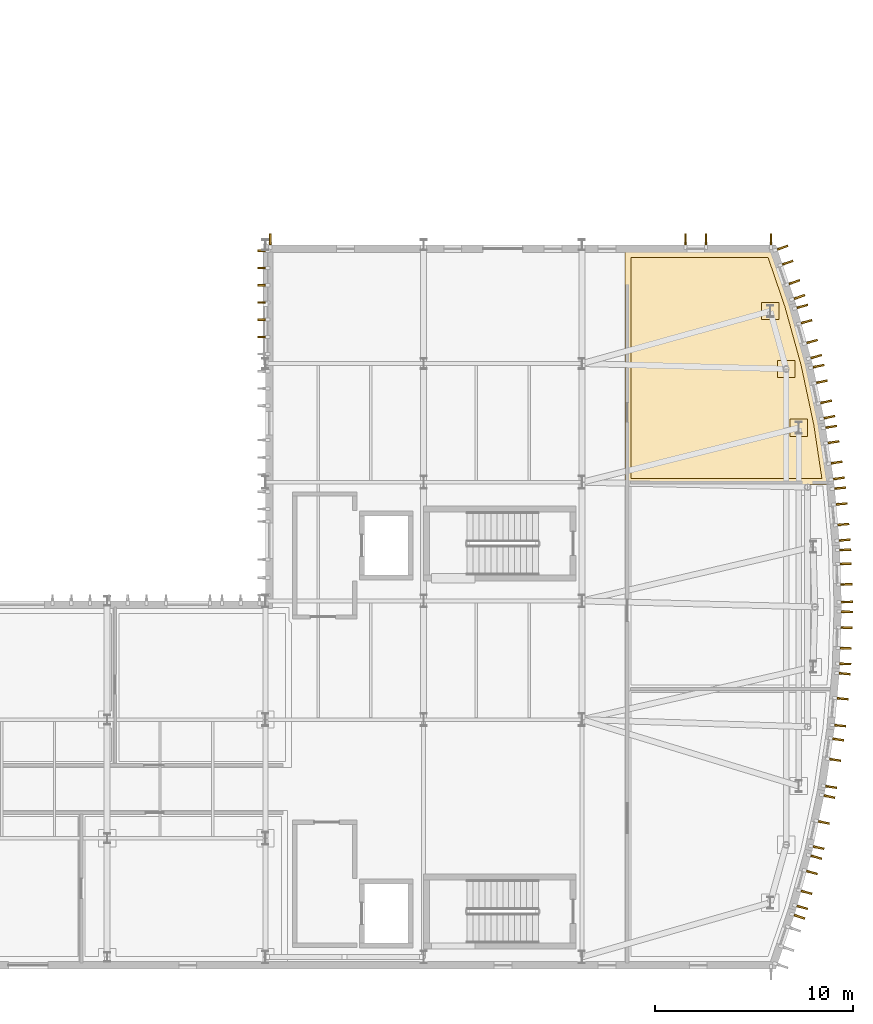
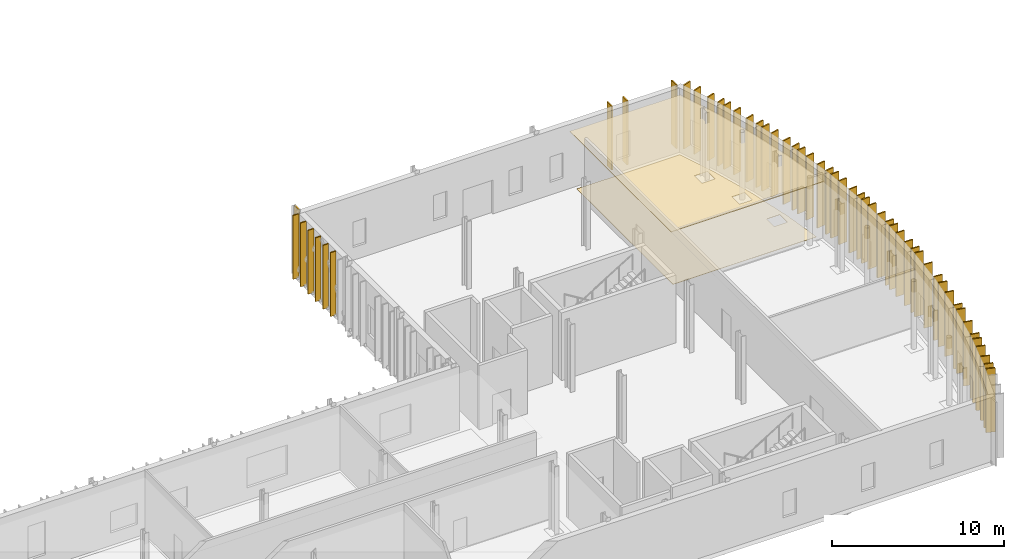
# One storey, part 60 of 60: 54 coverings.
"""IFC4 building model written with IfcOpenShell, lengths in metres."""

import ifcopenshell
import ifcopenshell.guid

model = None  # the IFC model being written
_history = None  # IfcOwnerHistory: only IFC2X3 demands one
_inside = {}  # id of a spatial element -> (the spatial element, [elements in it])
_under = {}  # id of a project, library or spatial element -> (it, [spatial elements below it])
_declared = {}  # id of a project -> (the project, [libraries it declares])
_typed = {}  # id of a type object -> (the type object, [elements of that type])
_made_of = {}  # id of a material, layer set ... -> (it, [elements and type objects made of it])


def new_model(schema):
    """Start an empty IFC model of exactly this schema.

    Asked for "IFC4X3", IfcOpenShell would pick the latest addendum, in which some entities
    have other attributes; the version numbers below select the first issue.
    IFC2X3 requires an IfcOwnerHistory on every rooted entity: one is made here for all.
    """
    global model, _history
    if schema == "IFC4X3":
        model = ifcopenshell.file(schema_version=(4, 3, 0, 0))
    else:
        model = ifcopenshell.file(schema=schema)
    _inside.clear()
    _under.clear()
    _declared.clear()
    _typed.clear()
    _made_of.clear()
    _history = None
    if model.schema == "IFC2X3":
        org = make("IfcOrganization", Name="unknown")
        user = make(
            "IfcPersonAndOrganization",
            ThePerson=make("IfcPerson", FamilyName="unknown"),
            TheOrganization=org,
        )
        app = make(
            "IfcApplication",
            ApplicationDeveloper=org,
            Version="unknown",
            ApplicationFullName="unknown",
            ApplicationIdentifier="unknown",
        )
        _history = make(
            "IfcOwnerHistory",
            OwningUser=user,
            OwningApplication=app,
            ChangeAction="ADDED",
            CreationDate=0,
        )
    return model


def make(cls, **values):
    """One entity of the class cls with the attributes given. An attribute that is None is left unset."""
    return model.create_entity(
        cls, **{name: value for name, value in values.items() if value is not None}
    )


def rooted(cls, **values):
    """An entity with a GlobalId (a new one), such as an element, a storey or a relation."""
    return make(cls, GlobalId=ifcopenshell.guid.new(), OwnerHistory=_history, **values)


def si_unit(unit_type, name, prefix=None):
    """IfcSIUnit, for example si_unit("LENGTHUNIT", "METRE", prefix="MILLI")."""
    return make("IfcSIUnit", UnitType=unit_type, Prefix=prefix, Name=name)


def assignment(units):
    """IfcUnitAssignment: the units of a project."""
    return None if units is None else make("IfcUnitAssignment", Units=units)


def point(xyz):
    """IfcCartesianPoint."""
    return None if xyz is None else make("IfcCartesianPoint", Coordinates=xyz)


def direction(xyz):
    """IfcDirection."""
    return None if xyz is None else make("IfcDirection", DirectionRatios=xyz)


def frame(location, z_axis=None, x_axis=None):
    """IfcAxis2Placement3D, a coordinate frame: its origin and axes. An axis left out is left unset."""
    return make(
        "IfcAxis2Placement3D",
        Location=point(location),
        Axis=direction(z_axis),
        RefDirection=direction(x_axis),
    )


def frame_2d(location, x_axis=None):
    """IfcAxis2Placement2D, a coordinate frame in the plane: its origin and x axis."""
    return make(
        "IfcAxis2Placement2D", Location=point(location), RefDirection=direction(x_axis)
    )


def origin():
    """The frame at (0, 0, 0) with its axes left unset."""
    return frame((0.0, 0.0, 0.0))


def origin_2d():
    """The frame at (0, 0) in the plane with its x axis left unset."""
    return frame_2d((0.0, 0.0))


def place(relative_to, where):
    """IfcLocalPlacement: puts the frame where relative to a parent placement (None: the world)."""
    return make(
        "IfcLocalPlacement", PlacementRelTo=relative_to, RelativePlacement=where
    )


def context(
    kind, dimensions, precision=None, world=None, true_north=None, identifier=None
):
    """IfcGeometricRepresentationContext, for example the 3D "Model" context."""
    return make(
        "IfcGeometricRepresentationContext",
        ContextIdentifier=identifier,
        ContextType=kind,
        CoordinateSpaceDimension=dimensions,
        Precision=precision,
        WorldCoordinateSystem=world,
        TrueNorth=true_north,
    )


def subcontext(parent, identifier, kind, view, scale=None):
    """IfcGeometricRepresentationSubContext, for example "Body" below "Model"."""
    return make(
        "IfcGeometricRepresentationSubContext",
        ContextIdentifier=identifier,
        ContextType=kind,
        ParentContext=parent,
        TargetScale=scale,
        TargetView=view,
    )


def project(units=None, contexts=None):
    """IfcProject with its units and contexts."""
    return rooted(
        "IfcProject",
        Name="project",
        RepresentationContexts=contexts,
        UnitsInContext=assignment(units),
    )


def spatial(cls, under=None, at=None, **own):
    """A site, building, storey or space (cls), placed at a placement, below another one or the project."""
    s = rooted(cls, ObjectPlacement=at, **own)
    if under is not None:
        _under.setdefault(under.id(), (under, []))[1].append(s)
    return s


def polyline(points):
    """IfcPolyline through the points."""
    return make("IfcPolyline", Points=[point(p) for p in points])


def profile(cls, at=None, kind="AREA", **sizes):
    """A parametric profile (cls). Its sizes go by their IFC names, for example OverallWidth=200.0."""
    return make(cls, ProfileType=kind, Position=at, **sizes)


def rectangle(**sizes):
    """IfcRectangleProfileDef."""
    return profile("IfcRectangleProfileDef", **sizes)


def outline(outer, holes=None, kind="AREA"):
    """IfcArbitraryClosedProfileDef: a profile drawn as a closed curve; with holes, ...WithVoids."""
    if holes is None:
        return make("IfcArbitraryClosedProfileDef", ProfileType=kind, OuterCurve=outer)
    return make(
        "IfcArbitraryProfileDefWithVoids",
        ProfileType=kind,
        OuterCurve=outer,
        InnerCurves=holes,
    )


def extrude(swept, where, along, depth):
    """IfcExtrudedAreaSolid: the profile swept, set in the frame where, extruded along a direction by depth."""
    return make(
        "IfcExtrudedAreaSolid",
        SweptArea=swept,
        Position=where,
        ExtrudedDirection=direction(along),
        Depth=depth,
    )


def shape(context_of_items, identifier, shape_type, items):
    """IfcShapeRepresentation: the items that make up one representation, for example the "Body"."""
    return make(
        "IfcShapeRepresentation",
        ContextOfItems=context_of_items,
        RepresentationIdentifier=identifier,
        RepresentationType=shape_type,
        Items=items,
    )


def material(Name=None, Category=None):
    """IfcMaterial."""
    return make("IfcMaterial", Name=Name, Category=Category)


def layer(
    of_material, thickness, ventilated=None, Name=None, Category=None, Priority=None
):
    """IfcMaterialLayer: one layer of a wall or slab, of a material (None: an air gap)."""
    return make(
        "IfcMaterialLayer",
        Material=of_material,
        LayerThickness=thickness,
        IsVentilated=ventilated,
        Name=Name,
        Category=Category,
        Priority=Priority,
    )


def layer_set(layers, Name=None):
    """IfcMaterialLayerSet."""
    return make("IfcMaterialLayerSet", MaterialLayers=layers, LayerSetName=Name)


def made_of(thing, what):
    """Note that an element or type object is made of a material, layer set ...; save() writes the relation."""
    if what is not None:
        _made_of.setdefault(what.id(), (what, []))[1].append(thing)
    return thing


def type_object(cls, material=None, **own):
    """A type object (cls), such as IfcWallType, which elements share."""
    return made_of(rooted(cls, **own), material)


def element(
    cls,
    number,
    at=None,
    inside=None,
    cuts=None,
    type_object=None,
    material=None,
    context=None,
    identifier="Body",
    shape_type=None,
    held_by="IfcProductDefinitionShape",
    body=None,
    shapes=None,
    **own,
):
    """One element of the class cls, such as IfcWall. Its Tag is "e" and its number.

    at: its placement. inside: the storey or other place that contains it. cuts: it is an
    opening in that element (IfcRelVoidsElement). A single representation is given by context,
    identifier, shape_type and body (its items); several are given by shapes. held_by: the class
    of the entity that holds the representations. save() writes the other relations.
    """
    e = rooted(cls, Tag="e%d" % number, ObjectPlacement=at, **own)
    if body is not None:
        shapes = [shape(context, identifier, shape_type, body)]
    if shapes is not None:
        e.Representation = make(held_by, Representations=shapes)
    if inside is not None:
        _inside.setdefault(inside.id(), (inside, []))[1].append(e)
    if cuts is not None:
        rooted(
            "IfcRelVoidsElement", RelatingBuildingElement=cuts, RelatedOpeningElement=e
        )
    if type_object is not None:
        _typed.setdefault(type_object.id(), (type_object, []))[1].append(e)
    return made_of(e, material)


def aggregate(whole, parts):
    """IfcRelAggregates: a whole, such as a stair, and the parts it consists of."""
    return rooted("IfcRelAggregates", RelatingObject=whole, RelatedObjects=parts)


def save(model, path):
    """Write the relations noted so far, then the file.

    IfcRelAggregates (storeys below a building ...), IfcRelContainedInSpatialStructure (elements
    in a storey), IfcRelDefinesByType, IfcRelAssociatesMaterial and IfcRelDeclares: one each for
    every whole, place, type object, material and project.
    """
    for whole, parts in _under.values():
        aggregate(whole, parts)
    for where, things in _inside.values():
        rooted(
            "IfcRelContainedInSpatialStructure",
            RelatedElements=things,
            RelatingStructure=where,
        )
    for kind, things in _typed.values():
        rooted("IfcRelDefinesByType", RelatedObjects=things, RelatingType=kind)
    for what, things in _made_of.values():
        rooted("IfcRelAssociatesMaterial", RelatedObjects=things, RelatingMaterial=what)
    for by, libraries in _declared.values():
        rooted("IfcRelDeclares", RelatingContext=by, RelatedDefinitions=libraries)
    model.write(path)


model = new_model("IFC4")

# Units and contexts
model_context = context("Model", 3, precision=1e-05, world=origin(), true_north=direction((0.0, 1.0)))
body_context = subcontext(model_context, "Body", "Model", "MODEL_VIEW")
ifc_project = project(units=[si_unit("LENGTHUNIT", "METRE"), si_unit("AREAUNIT", "SQUARE_METRE"), si_unit("VOLUMEUNIT", "CUBIC_METRE"), si_unit("PLANEANGLEUNIT", "RADIAN"), si_unit("MASSUNIT", "GRAM", prefix="KILO")], contexts=[model_context])

# Site, building, storey
site_placement = place(None, origin())
site = spatial("IfcSite", under=ifc_project, at=site_placement, CompositionType="ELEMENT")
building_placement = place(site_placement, origin())
building = spatial("IfcBuilding", under=site, at=building_placement, Name="Cymarion Research Institute", CompositionType="ELEMENT")
storey_placement = place(building_placement, origin())
storey = spatial("IfcBuildingStorey", under=building, at=storey_placement, Name="L00", CompositionType="ELEMENT", Elevation=0.0)

# Coverings
ifc_material_1 = material(Name="Micro-perforated mineral acoustic ceiling tile", Category="gypsum")
ifc_layer_1 = layer(ifc_material_1, 0.030029296875)
ifc_layer_set_1 = layer_set([ifc_layer_1], Name="Micro-perforated mineral acoustic ceiling tile")
covering_type_1 = type_object("IfcCoveringType", Name="ACOUSTIC MICRO-PERFORATED SUSPENDED CEILING CLG-01", PredefinedType="CEILING", material=ifc_layer_set_1)
covering_1_placement = place(storey_placement, frame((0.0, 0.0, 4.0)))
element("IfcCovering", 1, at=covering_1_placement, inside=storey, type_object=covering_type_1, Name="L00 L00 Prow Collaborative Reading Lounge acoustic ceiling", PredefinedType="CEILING", context=body_context, shape_type="SweptSolid", body=[
    extrude(outline(polyline([(164.22412109375, 41.1650390625), (165.14599609375, 38.47021484375), (165.971923828125, 35.482666015625), (166.617431640625, 32.45068359375), (167.080322265625, 29.385009765625), (156.784912109375, 29.385009765625), (156.784912109375, 41.1650390625), (164.22412109375, 41.1650390625)])), origin(), (0.0, 0.0, 1.0), 0.030029296875),
])
ifc_material_2 = material(Name="Precast concrete C45/55 architectural white", Category="concrete")
ifc_layer_2 = layer(ifc_material_2, 0.090087890625)
ifc_layer_set_2 = layer_set([ifc_layer_2], Name="Precast concrete C45/55 architectural white")
covering_type_2 = type_object("IfcCoveringType", Name="ARCHITECTURAL WHITE PRECAST CONCRETE VERTICAL FIN FIN1 560MM", PredefinedType="CLADDING", material=ifc_layer_set_2)
for number, where, z_axis, x_axis, name in (
    (2, (165.597900390625, 7.530029296875, 0.009765625), (0.0, 0.0, 1.0), (0.946141878672, -0.32375229022, 0.0), "L00 V1 white precast vertical fin FIN1 #8"),
    (3, (165.74462890625, 8.004638671875, 0.009765625), (0.0, 0.0, 1.0), (0.963863295733, -0.266397348219, 0.0), "L00 V1 white precast vertical fin FIN1 #9"),
    (4, (165.95556640625, 8.76806640625, 0.009765625), (0.0, 0.0, 1.0), (0.963863295733, -0.266397348219, 0.0), "L00 V1 white precast vertical fin FIN1 #10"),
    (5, (166.232666015625, 9.7705078125, 0.009765625), (0.0, 0.0, 1.0), (0.963863295733, -0.266397348219, 0.0), "L00 V1 white precast vertical fin FIN1 #11"),
    (6, (166.447021484375, 10.545654296875, 0.009765625), (0.0, 0.0, 1.0), (0.963863295733, -0.266397348219, 0.0), "L00 V1 white precast vertical fin FIN1 #12"),
    (7, (166.56494140625, 11.028076171875, 0.009765625), (0.0, 0.0, 1.0), (0.978074966272, -0.208253116068, 0.0), "L00 V1 white precast vertical fin FIN1 #13"),
    (8, (166.8359375, 12.300537109375, 0.009765625), (0.0, 0.0, 1.0), (0.978074966272, -0.208253116068, 0.0), "L00 V1 white precast vertical fin FIN1 #14"),
    (9, (167.114013671875, 13.606689453125, 0.009765625), (0.0, 0.0, 1.0), (0.978074966272, -0.208253116068, 0.0), "L00 V1 white precast vertical fin FIN1 #15"),
    (10, (167.202880859375, 14.09521484375, 0.009765625), (0.0, 0.0, 1.0), (0.988782464828, -0.149362770624, 0.0), "L00 V1 white precast vertical fin FIN1 #16"),
    (11, (167.409423828125, 15.4638671875, 0.009765625), (0.0, 0.0, 1.0), (0.988782464828, -0.149362770624, 0.0), "L00 V1 white precast vertical fin FIN1 #17"),
    (12, (167.564697265625, 16.4921875, 0.009765625), (0.0, 0.0, 1.0), (0.988782464828, -0.149362770624, 0.0), "L00 V1 white precast vertical fin FIN1 #18"),
    (13, (167.65576171875, 17.195068359375, 0.009765625), (0.0, 0.0, 1.0), (0.995963111248, -0.089763472712, 0.0), "L00 V1 white precast vertical fin FIN1 #19"),
    (14, (167.7783203125, 18.556640625, 0.009765625), (0.0, 0.0, 1.0), (0.995963111248, -0.089763472712, 0.0), "L00 V1 white precast vertical fin FIN1 #20"),
    (15, (167.892333984375, 19.82080078125, 0.009765625), (0.0, 0.0, 1.0), (0.995963111248, -0.089763472712, 0.0), "L00 V1 white precast vertical fin FIN1 #21"),
    (16, (167.922119140625, 20.31640625, 0.009765625), (0.0, 0.0, 1.0), (0.99954944375, -0.030015154483, 0.0), "L00 V1 white precast vertical fin FIN1 #22"),
    (17, (167.94580078125, 21.108154296875, 0.009765625), (0.0, 0.0, 1.0), (0.99954944375, -0.030015154483, 0.0), "L00 V1 white precast vertical fin FIN1 #23"),
    (18, (167.97705078125, 22.147705078125, 0.009765625), (0.0, 0.0, 1.0), (0.99954944375, -0.030015154483, 0.0), "L00 V1 white precast vertical fin FIN1 #24"),
    (19, (168.001220703125, 22.95166015625, 0.009765625), (0.0, 0.0, 1.0), (0.99954944375, -0.030015154483, 0.0), "L00 V1 white precast vertical fin FIN1 #25"),
    (20, (168.001220703125, 23.4482421875, 0.009765625), (0.0, 0.0, 1.0), (0.99954944375, 0.030015154483, 0.0), "L00 V1 white precast vertical fin FIN1 #26"),
    (21, (167.974365234375, 24.33984375, 0.009765625), (0.0, 0.0, 1.0), (0.99954944375, 0.030015154483, 0.0), "L00 V1 white precast vertical fin FIN1 #27"),
    (22, (167.943359375, 25.37939453125, 0.009765625), (0.0, 0.0, 1.0), (0.99954944375, 0.030015154483, 0.0), "L00 V1 white precast vertical fin FIN1 #28"),
    (23, (167.922119140625, 26.08349609375, 0.009765625), (0.0, 0.0, 1.0), (0.99954944375, 0.030015154483, 0.0), "L00 V1 white precast vertical fin FIN1 #29"),
    (24, (167.892333984375, 26.579345703125, 0.009765625), (0.0, 0.0, 1.0), (0.995963111248, 0.089763472712, 0.0), "L00 V1 white precast vertical fin FIN1 #30"),
    (25, (167.8212890625, 27.3681640625, 0.009765625), (0.0, 0.0, 1.0), (0.995963111248, 0.089763472712, 0.0), "L00 V1 white precast vertical fin FIN1 #31"),
    (26, (167.727783203125, 28.40380859375, 0.009765625), (0.0, 0.0, 1.0), (0.995963111248, 0.089763472712, 0.0), "L00 V1 white precast vertical fin FIN1 #32"),
    (27, (167.65576171875, 29.204833984375, 0.009765625), (0.0, 0.0, 1.0), (0.995963111248, 0.089763472712, 0.0), "L00 V1 white precast vertical fin FIN1 #33"),
    (28, (167.59619140625, 29.697998046875, 0.009765625), (0.0, 0.0, 1.0), (0.988782464828, 0.149362770624, 0.0), "L00 V1 white precast vertical fin FIN1 #34"),
    (29, (167.475341796875, 30.498779296875, 0.009765625), (0.0, 0.0, 1.0), (0.988782464828, 0.149362770624, 0.0), "L00 V1 white precast vertical fin FIN1 #35"),
    (30, (167.320068359375, 31.52734375, 0.009765625), (0.0, 0.0, 1.0), (0.988782464828, 0.149362770624, 0.0), "L00 V1 white precast vertical fin FIN1 #36"),
    (31, (167.202880859375, 32.3046875, 0.009765625), (0.0, 0.0, 1.0), (0.988782464828, 0.149362770624, 0.0), "L00 V1 white precast vertical fin FIN1 #37"),
    (32, (167.114013671875, 32.79345703125, 0.009765625), (0.0, 0.0, 1.0), (0.978074966272, 0.208253116068, 0.0), "L00 V1 white precast vertical fin FIN1 #38"),
    (33, (166.948974609375, 33.568115234375, 0.009765625), (0.0, 0.0, 1.0), (0.978074966272, 0.208253116068, 0.0), "L00 V1 white precast vertical fin FIN1 #39"),
    (34, (166.732421875, 34.585205078125, 0.009765625), (0.0, 0.0, 1.0), (0.978074966272, 0.208253116068, 0.0), "L00 V1 white precast vertical fin FIN1 #40"),
    (35, (166.56494140625, 35.371826171875, 0.009765625), (0.0, 0.0, 1.0), (0.978074966272, 0.208253116068, 0.0), "L00 V1 white precast vertical fin FIN1 #41"),
    (36, (166.447021484375, 35.8544921875, 0.009765625), (0.0, 0.0, 1.0), (0.963863295733, 0.266397348219, 0.0), "L00 V1 white precast vertical fin FIN1 #42"),
    (37, (166.236083984375, 36.61767578125, 0.009765625), (0.0, 0.0, 1.0), (0.963863295733, 0.266397348219, 0.0), "L00 V1 white precast vertical fin FIN1 #43"),
    (38, (165.958984375, 37.6201171875, 0.009765625), (0.0, 0.0, 1.0), (0.963863295733, 0.266397348219, 0.0), "L00 V1 white precast vertical fin FIN1 #44"),
    (39, (165.74462890625, 38.395263671875, 0.009765625), (0.0, 0.0, 1.0), (0.963863295733, 0.266397348219, 0.0), "L00 V1 white precast vertical fin FIN1 #45"),
    (40, (165.597900390625, 38.869873046875, 0.009765625), (0.0, 0.0, 1.0), (0.946141878672, 0.32375229022, 0.0), "L00 V1 white precast vertical fin FIN1 #46"),
    (41, (165.341552734375, 39.619140625, 0.009765625), (0.0, 0.0, 1.0), (0.946141878672, 0.32375229022, 0.0), "L00 V1 white precast vertical fin FIN1 #47"),
    (42, (165.0048828125, 40.603271484375, 0.009765625), (0.0, 0.0, 1.0), (0.946141878672, 0.32375229022, 0.0), "L00 V1 white precast vertical fin FIN1 #48"),
    (43, (164.744384765625, 41.3642578125, 0.009765625), (0.0, 0.0, 1.0), (0.946141878672, 0.32375229022, 0.0), "L00 V1 white precast vertical fin FIN1 #49"),
    (44, (164.159912109375, 41.781982421875, 0.009765625), (0.0, 0.0, 1.0), (0.0, 1.0, 0.0), "L00 V1 white precast vertical fin FIN1 #50"),
    (45, (160.873291015625, 41.781982421875, 0.009765625), (0.0, 0.0, 1.0), (0.0, 1.0, 0.0), "L00 V1 white precast vertical fin FIN1 #51"),
    (46, (159.83349609375, 41.781982421875, 0.009765625), (0.0, 0.0, 1.0), (0.0, 1.0, 0.0), "L00 V1 white precast vertical fin FIN1 #52"),
    (47, (138.840087890625, 41.781982421875, 0.009765625), (0.0, 0.0, 1.0), (0.0, 1.0, 0.0), "L00 V1 white precast vertical fin FIN1 #53"),
):
    element("IfcCovering", number, at=place(storey_placement, frame(where, z_axis=z_axis, x_axis=x_axis)), inside=storey, type_object=covering_type_2, Name=name, PredefinedType="CLADDING", context=body_context, shape_type="SweptSolid", body=[
        extrude(rectangle(XDim=0.56005859375, YDim=0.090087890625, at=origin_2d()), origin(), (0.0, 0.0, 1.0), 4.530029296875),
    ])
ifc_layer_3 = layer(ifc_material_2, 0.0849609375)
ifc_layer_set_3 = layer_set([ifc_layer_3], Name="Precast concrete C45/55 architectural white")
covering_type_3 = type_object("IfcCoveringType", Name="ARCHITECTURAL WHITE PRECAST CONCRETE VERTICAL FIN FIN3 380MM", PredefinedType="CLADDING", material=ifc_layer_set_3)
for number, where, z_axis, x_axis, name in (
    (48, (138.407958984375, 41.199951171875, 0.009765625), (0.0, 0.0, 1.0), (-1.0, 0.0, 0.0), "L00 V1 white precast vertical fin FIN3 #54"),
    (49, (138.407958984375, 40.330078125, 0.009765625), (0.0, 0.0, 1.0), (-1.0, 0.0, 0.0), "L00 V1 white precast vertical fin FIN3 #55"),
    (50, (138.407958984375, 39.4599609375, 0.009765625), (0.0, 0.0, 1.0), (-1.0, 0.0, 0.0), "L00 V1 white precast vertical fin FIN3 #56"),
    (51, (138.407958984375, 38.590087890625, 0.009765625), (0.0, 0.0, 1.0), (-1.0, 0.0, 0.0), "L00 V1 white precast vertical fin FIN3 #57"),
    (52, (138.407958984375, 37.719970703125, 0.009765625), (0.0, 0.0, 1.0), (-1.0, 0.0, 0.0), "L00 V1 white precast vertical fin FIN3 #58"),
    (53, (138.407958984375, 36.85009765625, 0.009765625), (0.0, 0.0, 1.0), (-1.0, 0.0, 0.0), "L00 V1 white precast vertical fin FIN3 #59"),
):
    element("IfcCovering", number, at=place(storey_placement, frame(where, z_axis=z_axis, x_axis=x_axis)), inside=storey, type_object=covering_type_3, Name=name, PredefinedType="CLADDING", context=body_context, shape_type="SweptSolid", body=[
        extrude(rectangle(XDim=0.3798828125, YDim=0.0849609375, at=origin_2d()), origin(), (0.0, 0.0, 1.0), 4.530029296875),
    ])
ifc_material_3 = material(Name="Seamless dissipative epoxy resin flooring", Category="resin")
ifc_layer_4 = layer(ifc_material_3, 0.02001953125)
ifc_layer_set_4 = layer_set([ifc_layer_4], Name="Seamless dissipative epoxy resin flooring")
covering_type_4 = type_object("IfcCoveringType", Name="SEAMLESS ESD EPOXY LABORATORY FLOORING FLR-01", PredefinedType="FLOORING", material=ifc_layer_set_4)
covering_2_placement = place(storey_placement, origin())
element("IfcCovering", 54, at=covering_2_placement, inside=storey, type_object=covering_type_4, Name="L00 L00 Prow Collaborative Reading Lounge ESD epoxy flooring", PredefinedType="FLOORING", context=body_context, shape_type="SweptSolid", body=[
    extrude(outline(polyline([(157.0849609375, 40.864990234375), (164.009521484375, 40.864990234375), (164.859130859375, 38.381591796875), (165.680419921875, 35.411376953125), (166.322021484375, 32.39697265625), (166.731689453125, 29.68505859375), (157.0849609375, 29.68505859375), (157.0849609375, 40.864990234375)]), holes=[polyline([(165.994873046875, 32.693603515625), (165.125, 32.693603515625), (165.125, 31.823486328125), (165.994873046875, 31.823486328125), (165.994873046875, 32.693603515625)]), polyline([(165.36279296875, 35.662353515625), (164.492919921875, 35.662353515625), (164.492919921875, 34.792236328125), (165.36279296875, 34.792236328125), (165.36279296875, 35.662353515625)]), polyline([(164.553955078125, 38.587890625), (163.68408203125, 38.587890625), (163.68408203125, 37.718017578125), (164.553955078125, 37.718017578125), (164.553955078125, 38.587890625)])]), origin(), (0.0, 0.0, 1.0), 0.02001953125),
])

save(model, "model.ifc")
